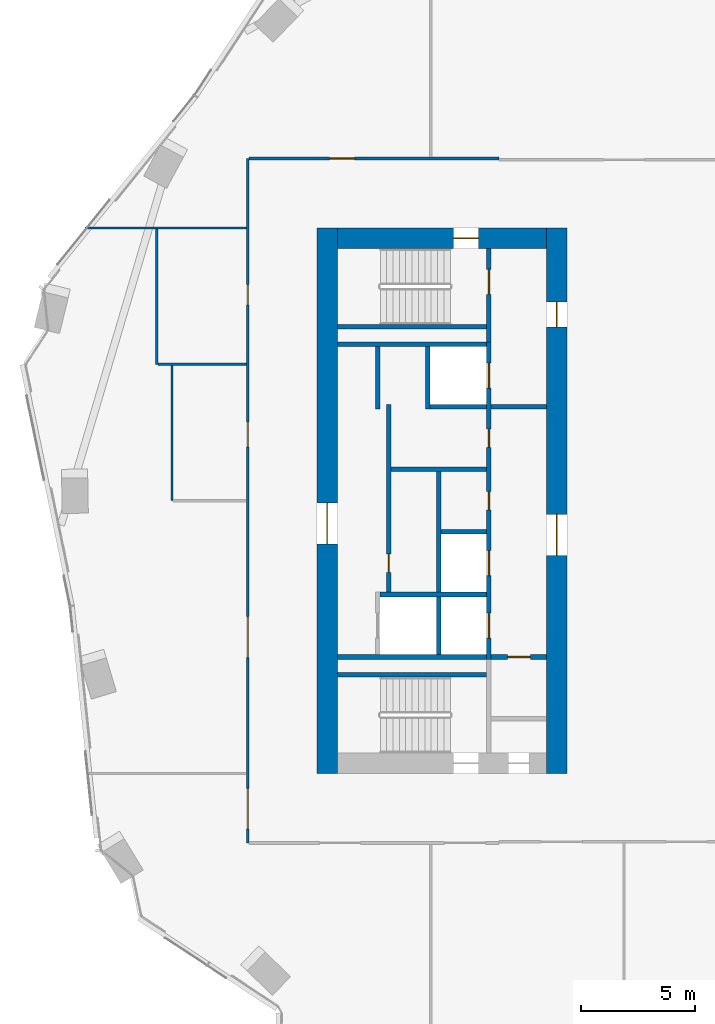
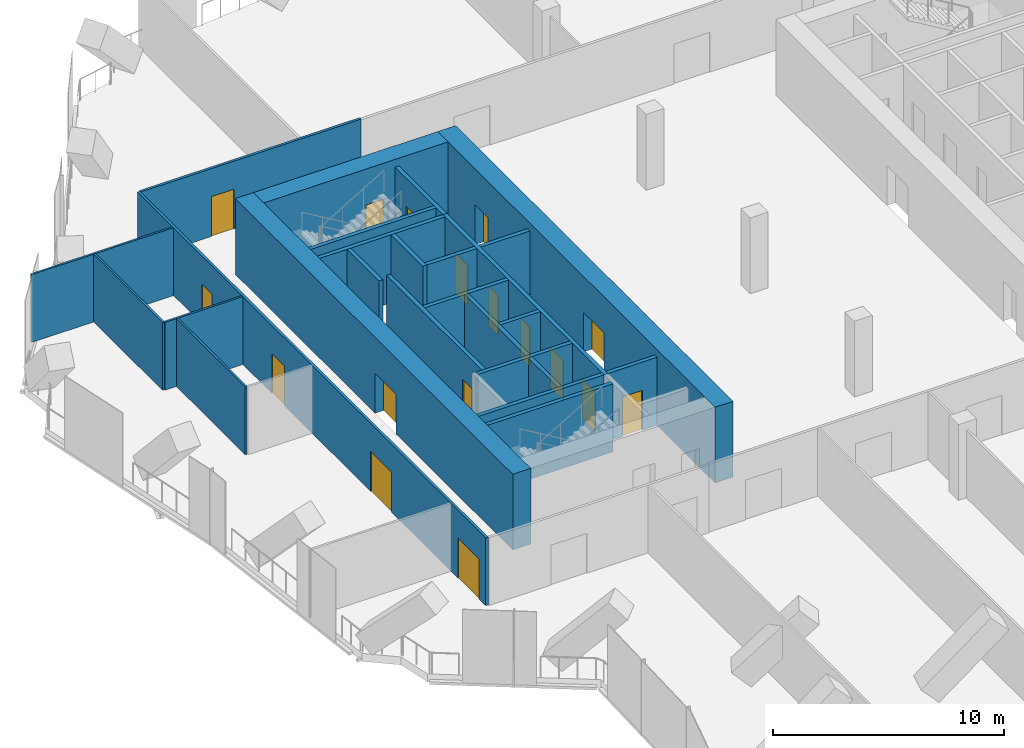
# One storey, part 20 of 26: 26 walls, 17 doors, 17 openings.
"""IFC4 building model written with IfcOpenShell, lengths in metres."""

from ifc_helpers import new_model, si_unit, direction, frame, frame_2d, origin, place, context, subcontext, project, spatial, rectangle, extrude, material, layer, layer_set, type_object, element, fill, save


model = new_model("IFC4")

# Units and contexts
model_context = context("Model", 3, precision=1e-05, world=origin(), true_north=direction((0.0, 1.0)))
body_context = subcontext(model_context, "Body", "Model", "MODEL_VIEW")
ifc_project = project(units=[si_unit("LENGTHUNIT", "METRE"), si_unit("AREAUNIT", "SQUARE_METRE"), si_unit("VOLUMEUNIT", "CUBIC_METRE"), si_unit("PLANEANGLEUNIT", "RADIAN"), si_unit("MASSUNIT", "GRAM", prefix="KILO")], contexts=[model_context])

# Site, building, storey
site_placement = place(None, origin())
site = spatial("IfcSite", under=ifc_project, at=site_placement, CompositionType="ELEMENT")
building_placement = place(site_placement, origin())
building = spatial("IfcBuilding", under=site, at=building_placement, Name="Orlundy Tower", CompositionType="ELEMENT")
storey_placement = place(building_placement, frame((0.0, 0.0, 228.0)))
storey = spatial("IfcBuildingStorey", under=building, at=storey_placement, Name="L60", CompositionType="ELEMENT", Elevation=228.0)

# Wall, opening, door
ifc_material_1 = material(Name="Concrete C60/75", Category="concrete")
ifc_layer_1 = layer(ifc_material_1, 0.89990234375)
ifc_layer_set_1 = layer_set([ifc_layer_1], Name="CORE WALL 900 C60/75")
wall_type_1 = type_object("IfcWallType", Name="CORE WALL 900 C60/75", PredefinedType="SHEAR", material=ifc_layer_set_1)
wall_1_placement = place(storey_placement, frame((-18.10009765625, 11.550048828125, 0.0), z_axis=(0.0, 0.0, 1.0), x_axis=(1.0, 0.0, 0.0)))
wall_1 = element("IfcWall", 1, at=wall_1_placement, inside=storey, type_object=wall_type_1, Name="Core wall W-N L60", PredefinedType="SHEAR", context=body_context, shape_type="SweptSolid", body=[
    extrude(rectangle(XDim=9.2001953125, YDim=0.89990234375, at=frame_2d((4.60009765625, 0.0))), origin(), (0.0, 0.0, 1.0), 4.0),
])
opening_1_placement = place(wall_1_placement, frame((5.10009765625, 0.0, 0.0)))
opening_1 = element("IfcOpeningElement", 2, at=opening_1_placement, cuts=wall_1, Name="Opening 46011", PredefinedType="OPENING", context=body_context, shape_type="SweptSolid", body=[
    extrude(rectangle(XDim=1.10009765625, YDim=2.10009765625, at=frame_2d((0.550048828125, 1.050048828125))), frame((0.0, 0.4599609375, 0.0), z_axis=(0.0, -1.0, 0.0), x_axis=(1.0, 0.0, 0.0)), (0.0, 0.0, 1.0), 0.919921875),
])
ifc_material_2 = material(Name="Steel door set", Category="steel")
door_type_1 = type_object("IfcDoorType", Name="Stair Door 1100x2100", OperationType="SINGLE_SWING_LEFT", PredefinedType="DOOR", material=ifc_material_2)
door_1_placement = place(opening_1_placement, origin())
door_1 = element("IfcDoor", 3, at=door_1_placement, inside=storey, type_object=door_type_1, Name="Stair door 46011", OperationType="SINGLE_SWING_RIGHT", OverallHeight=2.10009765625, OverallWidth=1.10009765625, PredefinedType="DOOR", context=body_context, shape_type="SweptSolid", body=[
    extrude(rectangle(XDim=1.10009765625, YDim=2.10009765625, at=frame_2d((0.550048828125, 1.050048828125))), frame((0.0, 0.02490234375, 0.0), z_axis=(0.0, -1.0, 0.0), x_axis=(1.0, 0.0, 0.0)), (0.0, 0.0, 1.0), 0.050048828125),
])
fill(opening_1, door_1)

wall_2_placement = place(storey_placement, frame((-18.550048828125, -12.0, 0.0), z_axis=(0.0, 0.0, 1.0), x_axis=(0.0, 1.0, 0.0)))
wall_2 = element("IfcWall", 4, at=wall_2_placement, inside=storey, type_object=wall_type_1, Name="Core wall W-W L60", PredefinedType="SHEAR", context=body_context, shape_type="SweptSolid", body=[
    extrude(rectangle(XDim=24.0, YDim=0.89990234375, at=frame_2d((12.0, 0.0))), origin(), (0.0, 0.0, 1.0), 4.0),
])
opening_2_placement = place(wall_2_placement, frame((10.10009765625, 0.0, 0.0)))
opening_2 = element("IfcOpeningElement", 5, at=opening_2_placement, cuts=wall_2, Name="Opening 46009", PredefinedType="OPENING", context=body_context, shape_type="SweptSolid", body=[
    extrude(rectangle(XDim=1.800048828125, YDim=2.10009765625, at=frame_2d((0.89990234375, 1.050048828125))), frame((0.0, 0.4599609375, 0.0), z_axis=(0.0, -1.0, 0.0), x_axis=(1.0, 0.0, 0.0)), (0.0, 0.0, 1.0), 0.919921875),
])
ifc_material_3 = material(Name="Timber door set", Category="wood")
door_type_2 = type_object("IfcDoorType", Name="Lobby Door 1800x2100", OperationType="DOUBLE_DOOR_DOUBLE_SWING", PredefinedType="DOOR", material=ifc_material_3)
door_2_placement = place(opening_2_placement, origin())
door_2 = element("IfcDoor", 6, at=door_2_placement, inside=storey, type_object=door_type_2, Name="Lift lobby door 46009", OperationType="SINGLE_SWING_LEFT", OverallHeight=2.10009765625, OverallWidth=1.800048828125, PredefinedType="DOOR", context=body_context, shape_type="SweptSolid", body=[
    extrude(rectangle(XDim=1.800048828125, YDim=2.10009765625, at=frame_2d((0.89990234375, 1.050048828125))), frame((0.0, 0.02490234375, 0.0), z_axis=(0.0, -1.0, 0.0), x_axis=(1.0, 0.0, 0.0)), (0.0, 0.0, 1.0), 0.050048828125),
])
fill(opening_2, door_2)

# Wall, openings, doors
wall_3_placement = place(storey_placement, frame((-8.449951171875, -12.0, 0.0), z_axis=(0.0, 0.0, 1.0), x_axis=(0.0, 1.0, 0.0)))
wall_3 = element("IfcWall", 7, at=wall_3_placement, inside=storey, type_object=wall_type_1, Name="Core wall W-E L60", PredefinedType="SHEAR", context=body_context, shape_type="SweptSolid", body=[
    extrude(rectangle(XDim=24.0, YDim=0.89990234375, at=frame_2d((12.0, 0.0))), origin(), (0.0, 0.0, 1.0), 4.0),
])
opening_3_placement = place(wall_3_placement, frame((9.60009765625, 0.0, 0.0)))
opening_3 = element("IfcOpeningElement", 8, at=opening_3_placement, cuts=wall_3, Name="Opening 46008", PredefinedType="OPENING", context=body_context, shape_type="SweptSolid", body=[
    extrude(rectangle(XDim=1.800048828125, YDim=2.10009765625, at=frame_2d((0.89990234375, 1.050048828125))), frame((0.0, 0.4599609375, 0.0), z_axis=(0.0, -1.0, 0.0), x_axis=(1.0, 0.0, 0.0)), (0.0, 0.0, 1.0), 0.919921875),
])
opening_4_placement = place(wall_3_placement, frame((19.64990234375, 0.0, 0.0)))
opening_4 = element("IfcOpeningElement", 9, at=opening_4_placement, cuts=wall_3, Name="Opening 46010", PredefinedType="OPENING", context=body_context, shape_type="SweptSolid", body=[
    extrude(rectangle(XDim=1.10009765625, YDim=2.10009765625, at=frame_2d((0.550048828125, 1.050048828125))), frame((0.0, 0.4599609375, 0.0), z_axis=(0.0, -1.0, 0.0), x_axis=(1.0, 0.0, 0.0)), (0.0, 0.0, 1.0), 0.919921875),
])
ifc_material_4 = material(Name="Steel door set", Category="steel")
door_type_3 = type_object("IfcDoorType", Name="Fire-fighting Lobby Door 1100x2100", OperationType="SINGLE_SWING_LEFT", PredefinedType="DOOR", material=ifc_material_4)
door_3_placement = place(opening_4_placement, origin())
door_3 = element("IfcDoor", 10, at=door_3_placement, inside=storey, type_object=door_type_3, Name="Fire-fighting lobby door 46010", OperationType="SINGLE_SWING_RIGHT", OverallHeight=2.10009765625, OverallWidth=1.10009765625, PredefinedType="DOOR", context=body_context, shape_type="SweptSolid", body=[
    extrude(rectangle(XDim=1.10009765625, YDim=2.10009765625, at=frame_2d((0.550048828125, 1.050048828125))), frame((0.0, 0.02490234375, 0.0), z_axis=(0.0, -1.0, 0.0), x_axis=(1.0, 0.0, 0.0)), (0.0, 0.0, 1.0), 0.050048828125),
])
fill(opening_4, door_3)
door_4_placement = place(opening_3_placement, origin())
door_4 = element("IfcDoor", 11, at=door_4_placement, inside=storey, type_object=door_type_2, Name="Lift lobby door 46008", OperationType="SINGLE_SWING_LEFT", OverallHeight=2.10009765625, OverallWidth=1.800048828125, PredefinedType="DOOR", context=body_context, shape_type="SweptSolid", body=[
    extrude(rectangle(XDim=1.800048828125, YDim=2.10009765625, at=frame_2d((0.89990234375, 1.050048828125))), frame((0.0, 0.02490234375, 0.0), z_axis=(0.0, -1.0, 0.0), x_axis=(1.0, 0.0, 0.0)), (0.0, 0.0, 1.0), 0.050048828125),
])
fill(opening_3, door_4)

# Walls
ifc_material_5 = material(Name="Gypsum board partition")
ifc_layer_2 = layer(ifc_material_5, 0.10009765625)
ifc_layer_set_2 = layer_set([ifc_layer_2], Name="Floor partition 100")
wall_type_2 = type_object("IfcWallType", Name="Floor partition 100", PredefinedType="PARTITIONING", material=ifc_layer_set_2)
wall_4_placement = place(storey_placement, frame((-25.998046875, 6.0009765625, 0.0), z_axis=(0.0, 0.0, 1.0), x_axis=(1.0, 0.0, 0.0)))
element("IfcWall", 12, at=wall_4_placement, inside=storey, type_object=wall_type_2, Name="wall-int-L60-008", PredefinedType="PARTITIONING", context=body_context, shape_type="SweptSolid", body=[
    extrude(rectangle(XDim=3.885009765625, YDim=0.10009765625, at=frame_2d((1.9423828125, 0.0))), origin(), (0.0, 0.0, 1.0), 3.580078125),
])
wall_5_placement = place(storey_placement, frame((-29.20703125, 12.0, 0.0), z_axis=(0.0, 0.0, 1.0), x_axis=(1.0, 0.0, 0.0)))
element("IfcWall", 13, at=wall_5_placement, inside=storey, type_object=wall_type_2, Name="wall-int-L60-010", PredefinedType="PARTITIONING", context=body_context, shape_type="SweptSolid", body=[
    extrude(rectangle(XDim=7.093994140625, YDim=0.10009765625, at=frame_2d((3.546875, 0.0))), origin(), (0.0, 0.0, 1.0), 3.580078125),
])
for number, where, z_axis, x_axis, name in (
    (14, (-25.382080078125, 0.001953125, 0.0), (0.0, 0.0, 1.0), (0.0, 1.0, 0.0), "wall-int-L60-025"),
    (15, (-26.048095703125, 6.0009765625, 0.0), (0.0, 0.0, 1.0), (0.0, 1.0, 0.0), "wall-int-L60-026"),
):
    element("IfcWall", number, at=place(storey_placement, frame(where, z_axis=z_axis, x_axis=x_axis)), inside=storey, type_object=wall_type_2, Name=name, PredefinedType="PARTITIONING", context=body_context, shape_type="SweptSolid", body=[
        extrude(rectangle(XDim=5.948974609375, YDim=0.10009765625, at=frame_2d((2.974609375, 0.0))), origin(), (0.0, 0.0, 1.0), 3.580078125),
    ])

# Wall, opening, door
ifc_material_6 = material(Name="Gypsum board partition, double layer")
ifc_layer_3 = layer(ifc_material_6, 0.125)
ifc_layer_set_3 = layer_set([ifc_layer_3], Name="Floor partition 125")
wall_type_3 = type_object("IfcWallType", Name="Floor partition 125", PredefinedType="PARTITIONING", material=ifc_layer_set_3)
wall_6_placement = place(storey_placement, frame((-21.988037109375, 15.051025390625, 0.0), z_axis=(0.0, 0.0, 1.0), x_axis=(1.0, 0.0, 0.0)))
wall_6 = element("IfcWall", 16, at=wall_6_placement, inside=storey, type_object=wall_type_3, Name="wall-int-L60-013", PredefinedType="PARTITIONING", context=body_context, shape_type="SweptSolid", body=[
    extrude(rectangle(XDim=10.9970703125, YDim=0.125, at=frame_2d((5.49853515625, 0.0))), origin(), (0.0, 0.0, 1.0), 3.580078125),
])
opening_5_placement = place(wall_6_placement, frame((3.53759765625, 0.0, 0.0)))
opening_5 = element("IfcOpeningElement", 17, at=opening_5_placement, cuts=wall_6, Name="Opening 46116", PredefinedType="OPENING", context=body_context, shape_type="SweptSolid", body=[
    extrude(rectangle(XDim=1.10009765625, YDim=2.10009765625, at=frame_2d((0.550048828125, 1.050048828125))), frame((0.0, 0.072509765625, 0.0), z_axis=(0.0, -1.0, 0.0), x_axis=(1.0, 0.0, 0.0)), (0.0, 0.0, 1.0), 0.14501953125),
])
ifc_material_7 = material(Name="Timber door leaf", Category="wood")
door_type_4 = type_object("IfcDoorType", Name="Floor door xwide 1100 FD30S", OperationType="NOTDEFINED", PredefinedType="DOOR", material=ifc_material_7)
door_5_placement = place(opening_5_placement, origin())
door_5 = element("IfcDoor", 18, at=door_5_placement, inside=storey, type_object=door_type_4, Name="Door 46116", OperationType="SINGLE_SWING_LEFT", OverallHeight=2.10009765625, OverallWidth=1.10009765625, PredefinedType="DOOR", context=body_context, shape_type="SweptSolid", body=[
    extrude(rectangle(XDim=1.10009765625, YDim=2.10009765625, at=frame_2d((0.550048828125, 1.050048828125))), frame((0.0, 0.02490234375, 0.0), z_axis=(0.0, -1.0, 0.0), x_axis=(1.0, 0.0, 0.0)), (0.0, 0.0, 1.0), 0.050048828125),
])
fill(opening_5, door_5)

# Wall, openings, doors
wall_7_placement = place(storey_placement, frame((-22.050048828125, -15.051025390625, 0.0), z_axis=(0.0, 0.0, 1.0), x_axis=(0.0, 1.0, 0.0)))
wall_7 = element("IfcWall", 19, at=wall_7_placement, inside=storey, type_object=wall_type_3, Name="wall-int-L60-024", PredefinedType="PARTITIONING", context=body_context, shape_type="SweptSolid", body=[
    extrude(rectangle(XDim=30.10205078125, YDim=0.125, at=frame_2d((15.051025390625, 0.0))), origin(), (0.0, 0.0, 1.0), 3.580078125),
])
opening_6_placement = place(wall_7_placement, frame((0.60009765625, 0.0, 0.0)))
opening_6 = element("IfcOpeningElement", 20, at=opening_6_placement, cuts=wall_7, Name="Opening 46100", PredefinedType="OPENING", context=body_context, shape_type="SweptSolid", body=[
    extrude(rectangle(XDim=1.800048828125, YDim=2.10009765625, at=frame_2d((0.89990234375, 1.050048828125))), frame((0.0, 0.072509765625, 0.0), z_axis=(0.0, -1.0, 0.0), x_axis=(1.0, 0.0, 0.0)), (0.0, 0.0, 1.0), 0.14501953125),
])
opening_7_placement = place(wall_7_placement, frame((8.15087890625, 0.0, 0.0)))
opening_7 = element("IfcOpeningElement", 21, at=opening_7_placement, cuts=wall_7, Name="Opening 46117", PredefinedType="OPENING", context=body_context, shape_type="SweptSolid", body=[
    extrude(rectangle(XDim=1.800048828125, YDim=2.10009765625, at=frame_2d((0.89990234375, 1.050048828125))), frame((0.0, 0.072509765625, 0.0), z_axis=(0.0, -1.0, 0.0), x_axis=(1.0, 0.0, 0.0)), (0.0, 0.0, 1.0), 0.14501953125),
])
opening_8_placement = place(wall_7_placement, frame((23.652099609375, 0.0, 0.0)))
opening_8 = element("IfcOpeningElement", 22, at=opening_8_placement, cuts=wall_7, Name="Opening 46118", PredefinedType="OPENING", context=body_context, shape_type="SweptSolid", body=[
    extrude(rectangle(XDim=0.89990234375, YDim=2.10009765625, at=frame_2d((0.449951171875, 1.050048828125))), frame((0.0, 0.072509765625, 0.0), z_axis=(0.0, -1.0, 0.0), x_axis=(1.0, 0.0, 0.0)), (0.0, 0.0, 1.0), 0.14501953125),
])
opening_9_placement = place(wall_7_placement, frame((17.403076171875, 0.0, 0.0)))
opening_9 = element("IfcOpeningElement", 23, at=opening_9_placement, cuts=wall_7, Name="Opening 46119", PredefinedType="OPENING", context=body_context, shape_type="SweptSolid", body=[
    extrude(rectangle(XDim=1.10009765625, YDim=2.10009765625, at=frame_2d((0.550048828125, 1.050048828125))), frame((0.0, 0.072509765625, 0.0), z_axis=(0.0, -1.0, 0.0), x_axis=(1.0, 0.0, 0.0)), (0.0, 0.0, 1.0), 0.14501953125),
])
ifc_material_8 = material(Name="Timber door leaf", Category="wood")
door_type_5 = type_object("IfcDoorType", Name="Floor door double 1800 FD30S", OperationType="NOTDEFINED", PredefinedType="DOOR", material=ifc_material_8)
door_6_placement = place(opening_6_placement, origin())
door_6 = element("IfcDoor", 24, at=door_6_placement, inside=storey, type_object=door_type_5, Name="Door 46100", OperationType="DOUBLE_DOOR_SINGLE_SWING", OverallHeight=2.10009765625, OverallWidth=1.800048828125, PredefinedType="DOOR", context=body_context, shape_type="SweptSolid", body=[
    extrude(rectangle(XDim=1.800048828125, YDim=2.10009765625, at=frame_2d((0.89990234375, 1.050048828125))), frame((0.0, 0.02490234375, 0.0), z_axis=(0.0, -1.0, 0.0), x_axis=(1.0, 0.0, 0.0)), (0.0, 0.0, 1.0), 0.050048828125),
])
fill(opening_6, door_6)
door_7_placement = place(opening_7_placement, origin())
door_7 = element("IfcDoor", 25, at=door_7_placement, inside=storey, type_object=door_type_5, Name="Door 46117", OperationType="DOUBLE_DOOR_SINGLE_SWING", OverallHeight=2.10009765625, OverallWidth=1.800048828125, PredefinedType="DOOR", context=body_context, shape_type="SweptSolid", body=[
    extrude(rectangle(XDim=1.800048828125, YDim=2.10009765625, at=frame_2d((0.89990234375, 1.050048828125))), frame((0.0, 0.02490234375, 0.0), z_axis=(0.0, -1.0, 0.0), x_axis=(1.0, 0.0, 0.0)), (0.0, 0.0, 1.0), 0.050048828125),
])
fill(opening_7, door_7)
ifc_material_9 = material(Name="Timber door leaf", Category="wood")
door_type_6 = type_object("IfcDoorType", Name="Floor door single 900 FD30S", OperationType="NOTDEFINED", PredefinedType="DOOR", material=ifc_material_9)
door_8_placement = place(opening_8_placement, origin())
door_8 = element("IfcDoor", 26, at=door_8_placement, inside=storey, type_object=door_type_6, Name="Door 46118", OperationType="SINGLE_SWING_RIGHT", OverallHeight=2.10009765625, OverallWidth=0.89990234375, PredefinedType="DOOR", context=body_context, shape_type="SweptSolid", body=[
    extrude(rectangle(XDim=0.89990234375, YDim=2.10009765625, at=frame_2d((0.449951171875, 1.050048828125))), frame((0.0, 0.02490234375, 0.0), z_axis=(0.0, -1.0, 0.0), x_axis=(1.0, 0.0, 0.0)), (0.0, 0.0, 1.0), 0.050048828125),
])
fill(opening_8, door_8)
door_9_placement = place(opening_9_placement, origin())
door_9 = element("IfcDoor", 27, at=door_9_placement, inside=storey, type_object=door_type_4, Name="Door 46119", OperationType="SINGLE_SWING_RIGHT", OverallHeight=2.10009765625, OverallWidth=1.10009765625, PredefinedType="DOOR", context=body_context, shape_type="SweptSolid", body=[
    extrude(rectangle(XDim=1.10009765625, YDim=2.10009765625, at=frame_2d((0.550048828125, 1.050048828125))), frame((0.0, 0.02490234375, 0.0), z_axis=(0.0, -1.0, 0.0), x_axis=(1.0, 0.0, 0.0)), (0.0, 0.0, 1.0), 0.050048828125),
])
fill(opening_9, door_9)

# Wall, opening, door
ifc_material_10 = material(Name="Concrete C40/50", Category="concrete")
ifc_layer_4 = layer(ifc_material_10, 0.199951171875)
ifc_layer_set_4 = layer_set([ifc_layer_4], Name="Load-bearing Shaft Wall 200")
wall_type_4 = type_object("IfcWallType", Name="Load-bearing Shaft Wall 200", PredefinedType="SOLIDWALL", material=ifc_layer_set_4)
wall_8_placement = place(storey_placement, frame((-11.43994140625, 6.97509765625, 0.0), z_axis=(0.0, 0.0, 1.0), x_axis=(0.0, 1.0, 0.0)))
wall_8 = element("IfcWall", 28, at=wall_8_placement, inside=storey, type_object=wall_type_4, Name="Shaft wall W46-stair-end-n", PredefinedType="SOLIDWALL", context=body_context, shape_type="SweptSolid", body=[
    extrude(rectangle(XDim=4.125, YDim=0.199951171875, at=frame_2d((2.0625, 0.0))), origin(), (0.0, 0.0, 1.0), 3.590087890625),
])
opening_10_placement = place(wall_8_placement, frame((2.10009765625, 0.0, 0.0)))
opening_10 = element("IfcOpeningElement", 29, at=opening_10_placement, cuts=wall_8, Name="Opening 46013", PredefinedType="OPENING", context=body_context, shape_type="SweptSolid", body=[
    extrude(rectangle(XDim=1.10009765625, YDim=2.10009765625, at=frame_2d((0.550048828125, 1.050048828125))), frame((0.0, 0.110107421875, 0.0), z_axis=(0.0, -1.0, 0.0), x_axis=(1.0, 0.0, 0.0)), (0.0, 0.0, 1.0), 0.22021484375),
])
door_10_placement = place(opening_10_placement, origin())
door_10 = element("IfcDoor", 30, at=door_10_placement, inside=storey, type_object=door_type_3, Name="Fire-fighting lobby to stair door 46013", OperationType="SINGLE_SWING_RIGHT", OverallHeight=2.10009765625, OverallWidth=1.10009765625, PredefinedType="DOOR", context=body_context, shape_type="SweptSolid", body=[
    extrude(rectangle(XDim=1.10009765625, YDim=2.10009765625, at=frame_2d((0.550048828125, 1.050048828125))), frame((0.0, 0.02490234375, 0.0), z_axis=(0.0, -1.0, 0.0), x_axis=(1.0, 0.0, 0.0)), (0.0, 0.0, 1.0), 0.050048828125),
])
fill(opening_10, door_10)

# Walls
for number, where, z_axis, x_axis, name in (
    (31, (-11.5400390625, 7.64990234375, 0.0), (0.0, 0.0, 1.0), (-1.0, 0.0, 0.0), "Shaft wall W46-stair-side-n"),
    (32, (-11.5400390625, -7.64990234375, 0.0), (0.0, 0.0, 1.0), (-1.0, 0.0, 0.0), "Shaft wall W46-stair-side-s"),
):
    element("IfcWall", number, at=place(storey_placement, frame(where, z_axis=z_axis, x_axis=x_axis)), inside=storey, type_object=wall_type_4, Name=name, PredefinedType="SOLIDWALL", context=body_context, shape_type="SweptSolid", body=[
        extrude(rectangle(XDim=6.56005859375, YDim=0.199951171875, at=frame_2d((3.280029296875, 0.0))), origin(), (0.0, 0.0, 1.0), 3.590087890625),
    ])
ifc_material_11 = material(Name="Gypsum board partition on steel studs", Category="steel")
ifc_layer_5 = layer(ifc_material_11, 0.199951171875)
ifc_layer_set_5 = layer_set([ifc_layer_5], Name="Partition 200")
wall_type_5 = type_object("IfcWallType", Name="Partition 200", PredefinedType="PARTITIONING", material=ifc_layer_set_5)
wall_9_placement = place(storey_placement, frame((-8.89990234375, 4.125, 0.0), z_axis=(0.0, 0.0, 1.0), x_axis=(-1.0, 0.0, 0.0)))
element("IfcWall", 33, at=wall_9_placement, inside=storey, type_object=wall_type_5, Name="Partition wall W46-lobby-n", PredefinedType="PARTITIONING", context=body_context, shape_type="SweptSolid", body=[
    extrude(rectangle(XDim=2.440185546875, YDim=0.199951171875, at=frame_2d((1.22021484375, 0.0))), origin(), (0.0, 0.0, 1.0), 3.590087890625),
])

# Wall, opening, door
wall_10_placement = place(storey_placement, frame((-8.89990234375, -6.875, 0.0), z_axis=(0.0, 0.0, 1.0), x_axis=(-1.0, 0.0, 0.0)))
wall_10 = element("IfcWall", 34, at=wall_10_placement, inside=storey, type_object=wall_type_5, Name="Partition wall W46-end-s", PredefinedType="PARTITIONING", context=body_context, shape_type="SweptSolid", body=[
    extrude(rectangle(XDim=2.440185546875, YDim=0.199951171875, at=frame_2d((1.22021484375, 0.0))), origin(), (0.0, 0.0, 1.0), 3.590087890625),
])
opening_11_placement = place(wall_10_placement, frame((0.719970703125, 0.0, 0.0)))
opening_11 = element("IfcOpeningElement", 35, at=opening_11_placement, cuts=wall_10, Name="Opening 46015", PredefinedType="OPENING", context=body_context, shape_type="SweptSolid", body=[
    extrude(rectangle(XDim=1.0, YDim=2.10009765625, at=frame_2d((0.5, 1.050048828125))), frame((0.0, 0.110107421875, 0.0), z_axis=(0.0, -1.0, 0.0), x_axis=(1.0, 0.0, 0.0)), (0.0, 0.0, 1.0), 0.22021484375),
])
ifc_material_12 = material(Name="Timber door set", Category="wood")
door_type_7 = type_object("IfcDoorType", Name="Accessible Door 1000x2100", OperationType="SINGLE_SWING_LEFT", PredefinedType="DOOR", material=ifc_material_12)
door_11_placement = place(opening_11_placement, origin())
door_11 = element("IfcDoor", 36, at=door_11_placement, inside=storey, type_object=door_type_7, Name="Accessible WC door 46015", OperationType="SINGLE_SWING_RIGHT", OverallHeight=2.10009765625, OverallWidth=1.0, PredefinedType="DOOR", context=body_context, shape_type="SweptSolid", body=[
    extrude(rectangle(XDim=1.0, YDim=2.10009765625, at=frame_2d((0.5, 1.050048828125))), frame((0.0, 0.02490234375, 0.0), z_axis=(0.0, -1.0, 0.0), x_axis=(1.0, 0.0, 0.0)), (0.0, 0.0, 1.0), 0.050048828125),
])
fill(opening_11, door_11)

# Walls
ifc_material_13 = material(Name="Fire-rated blockwork shaft wall", Category="masonry")
ifc_layer_6 = layer(ifc_material_13, 0.199951171875)
ifc_layer_set_6 = layer_set([ifc_layer_6], Name="Shaft Wall 200")
wall_type_6 = type_object("IfcWallType", Name="Shaft Wall 200", PredefinedType="SOLIDWALL", material=ifc_layer_set_6)
for number, where, z_axis, x_axis, name in (
    (37, (-11.5400390625, 6.875, 0.0), (0.0, 0.0, 1.0), (-1.0, 0.0, 0.0), "Shaft wall W46-zone-n"),
    (38, (-11.5400390625, -6.875, 0.0), (0.0, 0.0, 1.0), (-1.0, 0.0, 0.0), "Shaft wall W46-zone-s"),
):
    element("IfcWall", number, at=place(storey_placement, frame(where, z_axis=z_axis, x_axis=x_axis)), inside=storey, type_object=wall_type_6, Name=name, PredefinedType="SOLIDWALL", context=body_context, shape_type="SweptSolid", body=[
        extrude(rectangle(XDim=6.56005859375, YDim=0.199951171875, at=frame_2d((3.280029296875, 0.0))), origin(), (0.0, 0.0, 1.0), 3.590087890625),
    ])
wall_11_placement = place(storey_placement, frame((-11.5400390625, -4.125, 0.0), z_axis=(0.0, 0.0, 1.0), x_axis=(-1.0, 0.0, 0.0)))
element("IfcWall", 39, at=wall_11_placement, inside=storey, type_object=wall_type_6, Name="Shaft wall W46-cross-4.125", PredefinedType="SOLIDWALL", context=body_context, shape_type="SweptSolid", body=[
    extrude(rectangle(XDim=4.699951171875, YDim=0.199951171875, at=frame_2d((2.35009765625, 0.0))), origin(), (0.0, 0.0, 1.0), 3.590087890625),
])
wall_12_placement = place(storey_placement, frame((-11.5400390625, -1.375, 0.0), z_axis=(0.0, 0.0, 1.0), x_axis=(-1.0, 0.0, 0.0)))
element("IfcWall", 40, at=wall_12_placement, inside=storey, type_object=wall_type_6, Name="Shaft wall W46-cross-1.375", PredefinedType="SOLIDWALL", context=body_context, shape_type="SweptSolid", body=[
    extrude(rectangle(XDim=2.0, YDim=0.199951171875, at=frame_2d((1.0, 0.0))), origin(), (0.0, 0.0, 1.0), 3.590087890625),
])
wall_13_placement = place(storey_placement, frame((-11.5400390625, 1.375, 0.0), z_axis=(0.0, 0.0, 1.0), x_axis=(-1.0, 0.0, 0.0)))
element("IfcWall", 41, at=wall_13_placement, inside=storey, type_object=wall_type_6, Name="Shaft wall W46-cross+1.375", PredefinedType="SOLIDWALL", context=body_context, shape_type="SweptSolid", body=[
    extrude(rectangle(XDim=4.199951171875, YDim=0.199951171875, at=frame_2d((2.10009765625, 0.0))), origin(), (0.0, 0.0, 1.0), 3.590087890625),
])
wall_14_placement = place(storey_placement, frame((-11.5400390625, 4.125, 0.0), z_axis=(0.0, 0.0, 1.0), x_axis=(-1.0, 0.0, 0.0)))
element("IfcWall", 42, at=wall_14_placement, inside=storey, type_object=wall_type_6, Name="Shaft wall W46-cross+4.125", PredefinedType="SOLIDWALL", context=body_context, shape_type="SweptSolid", body=[
    extrude(rectangle(XDim=2.5, YDim=0.199951171875, at=frame_2d((1.25, 0.0))), origin(), (0.0, 0.0, 1.0), 3.590087890625),
])

# Wall, openings, doors
wall_15_placement = place(storey_placement, frame((-11.43994140625, -6.97509765625, 0.0), z_axis=(0.0, 0.0, 1.0), x_axis=(0.0, 1.0, 0.0)))
wall_15 = element("IfcWall", 43, at=wall_15_placement, inside=storey, type_object=wall_type_6, Name="Shaft wall W46-front-h", PredefinedType="SOLIDWALL", context=body_context, shape_type="SweptSolid", body=[
    extrude(rectangle(XDim=13.9501953125, YDim=0.199951171875, at=frame_2d((6.97509765625, 0.0))), origin(), (0.0, 0.0, 1.0), 3.590087890625),
])
opening_12_placement = place(wall_15_placement, frame((0.925048828125, 0.0, 0.0)))
opening_12 = element("IfcOpeningElement", 44, at=opening_12_placement, cuts=wall_15, Name="Opening 46001", PredefinedType="OPENING", context=body_context, shape_type="SweptSolid", body=[
    extrude(rectangle(XDim=1.10009765625, YDim=2.10009765625, at=frame_2d((0.550048828125, 1.050048828125))), frame((0.0, 0.110107421875, 0.0), z_axis=(0.0, -1.0, 0.0), x_axis=(1.0, 0.0, 0.0)), (0.0, 0.0, 1.0), 0.22021484375),
])
opening_13_placement = place(wall_15_placement, frame((3.675048828125, 0.0, 0.0)))
opening_13 = element("IfcOpeningElement", 45, at=opening_13_placement, cuts=wall_15, Name="Opening 46003", PredefinedType="OPENING", context=body_context, shape_type="SweptSolid", body=[
    extrude(rectangle(XDim=1.10009765625, YDim=2.10009765625, at=frame_2d((0.550048828125, 1.050048828125))), frame((0.0, 0.110107421875, 0.0), z_axis=(0.0, -1.0, 0.0), x_axis=(1.0, 0.0, 0.0)), (0.0, 0.0, 1.0), 0.22021484375),
])
opening_14_placement = place(wall_15_placement, frame((11.925048828125, 0.0, 0.0)))
opening_14 = element("IfcOpeningElement", 46, at=opening_14_placement, cuts=wall_15, Name="Opening 46004", PredefinedType="OPENING", context=body_context, shape_type="SweptSolid", body=[
    extrude(rectangle(XDim=1.10009765625, YDim=2.10009765625, at=frame_2d((0.550048828125, 1.050048828125))), frame((0.0, 0.110107421875, 0.0), z_axis=(0.0, -1.0, 0.0), x_axis=(1.0, 0.0, 0.0)), (0.0, 0.0, 1.0), 0.22021484375),
])
opening_15_placement = place(wall_15_placement, frame((6.574951171875, 0.0, 0.0)))
opening_15 = element("IfcOpeningElement", 47, at=opening_15_placement, cuts=wall_15, Name="Opening 46006", PredefinedType="OPENING", context=body_context, shape_type="SweptSolid", body=[
    extrude(rectangle(XDim=0.800048828125, YDim=2.10009765625, at=frame_2d((0.39990234375, 1.050048828125))), frame((0.0, 0.110107421875, 0.0), z_axis=(0.0, -1.0, 0.0), x_axis=(1.0, 0.0, 0.0)), (0.0, 0.0, 1.0), 0.22021484375),
])
opening_16_placement = place(wall_15_placement, frame((9.324951171875, 0.0, 0.0)))
opening_16 = element("IfcOpeningElement", 48, at=opening_16_placement, cuts=wall_15, Name="Opening 46007", PredefinedType="OPENING", context=body_context, shape_type="SweptSolid", body=[
    extrude(rectangle(XDim=0.800048828125, YDim=2.10009765625, at=frame_2d((0.39990234375, 1.050048828125))), frame((0.0, 0.110107421875, 0.0), z_axis=(0.0, -1.0, 0.0), x_axis=(1.0, 0.0, 0.0)), (0.0, 0.0, 1.0), 0.22021484375),
])
ifc_material_14 = material(Name="Steel door set", Category="steel")
door_type_8 = type_object("IfcDoorType", Name="Landing Door 1100x2100", OperationType="DOUBLE_DOOR_SLIDING", PredefinedType="DOOR", material=ifc_material_14)
door_12_placement = place(opening_12_placement, origin())
door_12 = element("IfcDoor", 49, at=door_12_placement, inside=storey, type_object=door_type_8, Name="Lift landing door LP-22 46001", OperationType="DOUBLE_DOOR_SLIDING", OverallHeight=2.10009765625, OverallWidth=1.10009765625, PredefinedType="DOOR", context=body_context, shape_type="SweptSolid", body=[
    extrude(rectangle(XDim=1.10009765625, YDim=2.10009765625, at=frame_2d((0.550048828125, 1.050048828125))), frame((0.0, 0.02490234375, 0.0), z_axis=(0.0, -1.0, 0.0), x_axis=(1.0, 0.0, 0.0)), (0.0, 0.0, 1.0), 0.050048828125),
])
fill(opening_12, door_12)
door_13_placement = place(opening_13_placement, origin())
door_13 = element("IfcDoor", 50, at=door_13_placement, inside=storey, type_object=door_type_8, Name="Lift landing door LP-21 46003", OperationType="DOUBLE_DOOR_SLIDING", OverallHeight=2.10009765625, OverallWidth=1.10009765625, PredefinedType="DOOR", context=body_context, shape_type="SweptSolid", body=[
    extrude(rectangle(XDim=1.10009765625, YDim=2.10009765625, at=frame_2d((0.550048828125, 1.050048828125))), frame((0.0, 0.02490234375, 0.0), z_axis=(0.0, -1.0, 0.0), x_axis=(1.0, 0.0, 0.0)), (0.0, 0.0, 1.0), 0.050048828125),
])
fill(opening_13, door_13)
door_14_placement = place(opening_14_placement, origin())
door_14 = element("IfcDoor", 51, at=door_14_placement, inside=storey, type_object=door_type_8, Name="Lift landing door FL1 46004", OperationType="DOUBLE_DOOR_SLIDING", OverallHeight=2.10009765625, OverallWidth=1.10009765625, PredefinedType="DOOR", context=body_context, shape_type="SweptSolid", body=[
    extrude(rectangle(XDim=1.10009765625, YDim=2.10009765625, at=frame_2d((0.550048828125, 1.050048828125))), frame((0.0, 0.02490234375, 0.0), z_axis=(0.0, -1.0, 0.0), x_axis=(1.0, 0.0, 0.0)), (0.0, 0.0, 1.0), 0.050048828125),
])
fill(opening_14, door_14)
ifc_material_15 = material(Name="Timber door set", Category="wood")
door_type_9 = type_object("IfcDoorType", Name="Riser Door 800x2100", OperationType="SINGLE_SWING_LEFT", PredefinedType="DOOR", material=ifc_material_15)
door_15_placement = place(opening_15_placement, origin())
door_15 = element("IfcDoor", 52, at=door_15_placement, inside=storey, type_object=door_type_9, Name="Coat Store door 46006", OperationType="SINGLE_SWING_LEFT", OverallHeight=2.10009765625, OverallWidth=0.800048828125, PredefinedType="DOOR", context=body_context, shape_type="SweptSolid", body=[
    extrude(rectangle(XDim=0.800048828125, YDim=2.10009765625, at=frame_2d((0.39990234375, 1.050048828125))), frame((0.0, 0.02490234375, 0.0), z_axis=(0.0, -1.0, 0.0), x_axis=(1.0, 0.0, 0.0)), (0.0, 0.0, 1.0), 0.050048828125),
])
fill(opening_15, door_15)
door_16_placement = place(opening_16_placement, origin())
door_16 = element("IfcDoor", 53, at=door_16_placement, inside=storey, type_object=door_type_9, Name="Parcel Store door 46007", OperationType="SINGLE_SWING_LEFT", OverallHeight=2.10009765625, OverallWidth=0.800048828125, PredefinedType="DOOR", context=body_context, shape_type="SweptSolid", body=[
    extrude(rectangle(XDim=0.800048828125, YDim=2.10009765625, at=frame_2d((0.39990234375, 1.050048828125))), frame((0.0, 0.02490234375, 0.0), z_axis=(0.0, -1.0, 0.0), x_axis=(1.0, 0.0, 0.0)), (0.0, 0.0, 1.0), 0.050048828125),
])
fill(opening_16, door_16)

# Walls
wall_16_placement = place(storey_placement, frame((-13.639892578125, -6.77490234375, 0.0), z_axis=(0.0, 0.0, 1.0), x_axis=(0.0, 1.0, 0.0)))
element("IfcWall", 54, at=wall_16_placement, inside=storey, type_object=wall_type_6, Name="Shaft wall W46-mid-a", PredefinedType="SOLIDWALL", context=body_context, shape_type="SweptSolid", body=[
    extrude(rectangle(XDim=2.5498046875, YDim=0.199951171875, at=frame_2d((1.27490234375, 0.0))), origin(), (0.0, 0.0, 1.0), 3.590087890625),
])
wall_17_placement = place(storey_placement, frame((-13.639892578125, -4.02490234375, 0.0), z_axis=(0.0, 0.0, 1.0), x_axis=(0.0, 1.0, 0.0)))
element("IfcWall", 55, at=wall_17_placement, inside=storey, type_object=wall_type_6, Name="Shaft wall W46-mid-a.1", PredefinedType="SOLIDWALL", context=body_context, shape_type="SweptSolid", body=[
    extrude(rectangle(XDim=5.2998046875, YDim=0.199951171875, at=frame_2d((2.64990234375, 0.0))), origin(), (0.0, 0.0, 1.0), 3.590087890625),
])
wall_18_placement = place(storey_placement, frame((-14.139892578125, 4.02490234375, 0.0), z_axis=(0.0, 0.0, 1.0), x_axis=(0.0, 1.0, 0.0)))
element("IfcWall", 56, at=wall_18_placement, inside=storey, type_object=wall_type_6, Name="Shaft wall W46-mid-b", PredefinedType="SOLIDWALL", context=body_context, shape_type="SweptSolid", body=[
    extrude(rectangle(XDim=2.75, YDim=0.199951171875, at=frame_2d((1.375, 0.0))), origin(), (0.0, 0.0, 1.0), 3.590087890625),
])

# Wall, opening, door
wall_19_placement = place(storey_placement, frame((-15.840087890625, -4.02490234375, 0.0), z_axis=(0.0, 0.0, 1.0), x_axis=(0.0, 1.0, 0.0)))
wall_19 = element("IfcWall", 57, at=wall_19_placement, inside=storey, type_object=wall_type_6, Name="Shaft wall W46-front-o-b", PredefinedType="SOLIDWALL", context=body_context, shape_type="SweptSolid", body=[
    extrude(rectangle(XDim=8.25, YDim=0.199951171875, at=frame_2d((4.125, 0.0))), origin(), (0.0, 0.0, 1.0), 3.590087890625),
])
opening_17_placement = place(wall_19_placement, frame((0.875, 0.0, 0.0)))
opening_17 = element("IfcOpeningElement", 58, at=opening_17_placement, cuts=wall_19, Name="Opening 46005", PredefinedType="OPENING", context=body_context, shape_type="SweptSolid", body=[
    extrude(rectangle(XDim=0.800048828125, YDim=2.10009765625, at=frame_2d((0.39990234375, 1.050048828125))), frame((0.0, 0.110107421875, 0.0), z_axis=(0.0, -1.0, 0.0), x_axis=(1.0, 0.0, 0.0)), (0.0, 0.0, 1.0), 0.22021484375),
])
door_17_placement = place(opening_17_placement, origin())
door_17 = element("IfcDoor", 59, at=door_17_placement, inside=storey, type_object=door_type_9, Name="Printer Paper Store door 46005", OperationType="SINGLE_SWING_LEFT", OverallHeight=2.10009765625, OverallWidth=0.800048828125, PredefinedType="DOOR", context=body_context, shape_type="SweptSolid", body=[
    extrude(rectangle(XDim=0.800048828125, YDim=2.10009765625, at=frame_2d((0.39990234375, 1.050048828125))), frame((0.0, 0.02490234375, 0.0), z_axis=(0.0, -1.0, 0.0), x_axis=(1.0, 0.0, 0.0)), (0.0, 0.0, 1.0), 0.050048828125),
])
fill(opening_17, door_17)

# Wall
wall_20_placement = place(storey_placement, frame((-16.340087890625, 4.02490234375, 0.0), z_axis=(0.0, 0.0, 1.0), x_axis=(0.0, 1.0, 0.0)))
element("IfcWall", 60, at=wall_20_placement, inside=storey, type_object=wall_type_6, Name="Shaft wall W46-front-o-c", PredefinedType="SOLIDWALL", context=body_context, shape_type="SweptSolid", body=[
    extrude(rectangle(XDim=2.75, YDim=0.199951171875, at=frame_2d((1.375, 0.0))), origin(), (0.0, 0.0, 1.0), 3.590087890625),
])

save(model, "model.ifc")
